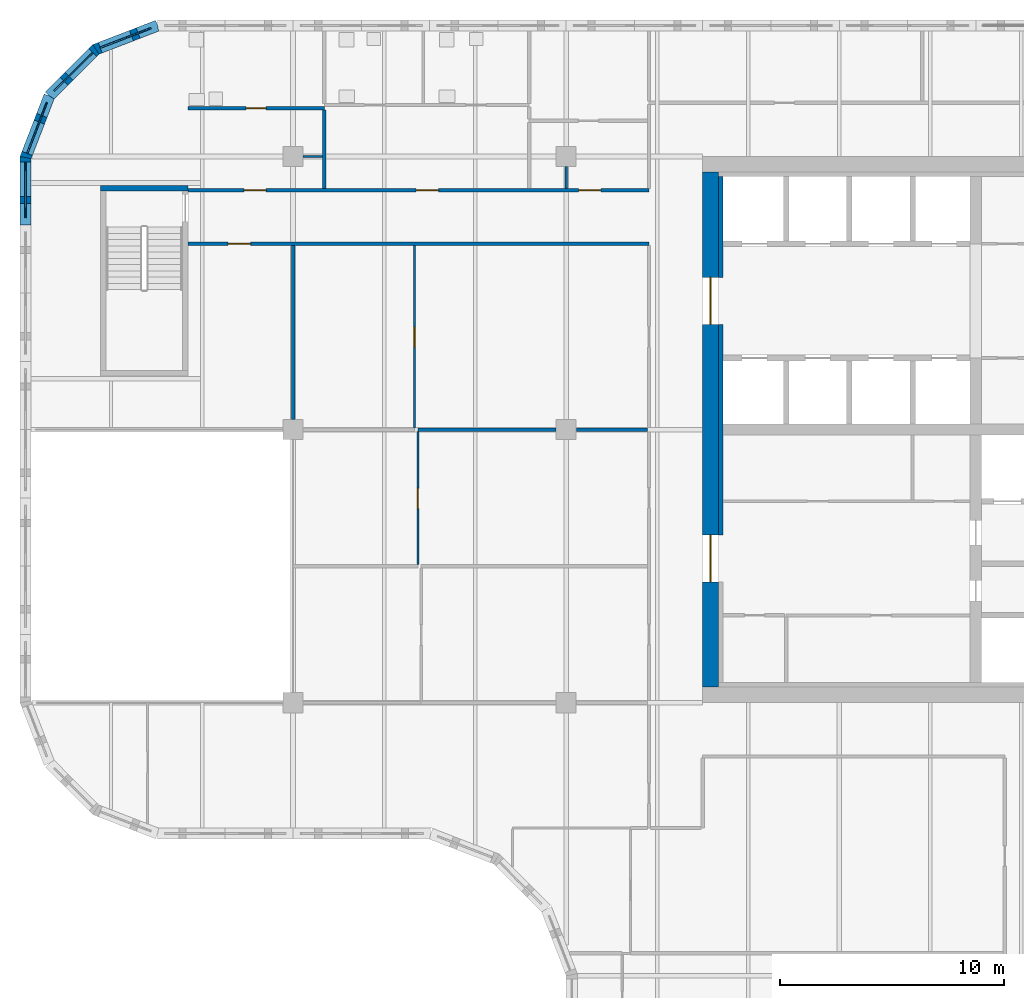
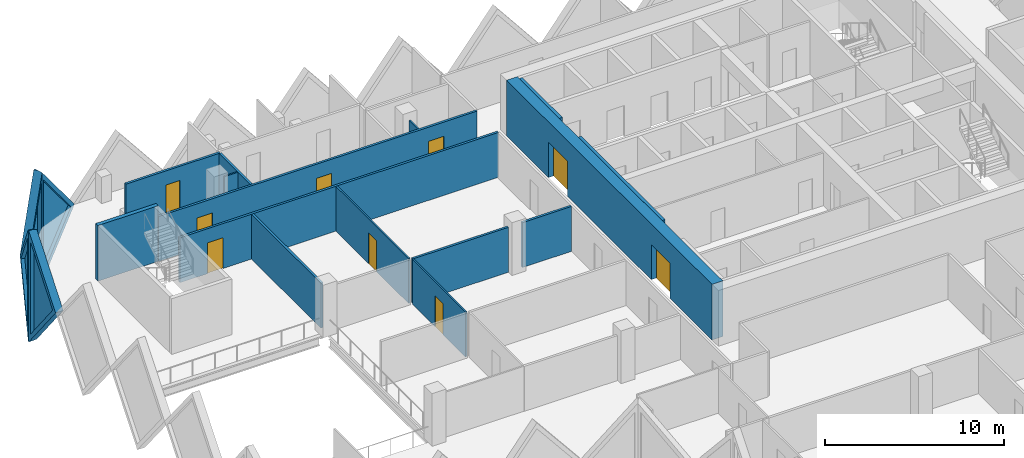
# One storey, part 7 of 13: 19 walls, 9 doors, 4 plates, 13 openings.
"""IFC4 building model written with IfcOpenShell, lengths in metres."""

from ifc_helpers import new_model, si_unit, direction, frame, frame_2d, origin, place, context, subcontext, project, spatial, polyline, rectangle, outline, extrude, faceted_brep, source, transform, mapped, material, layer, layer_set, type_object, element, fill, save


model = new_model("IFC4")

# Units and contexts
model_context = context("Model", 3, precision=1e-05, world=origin(), true_north=direction((0.0, 1.0)))
body_context = subcontext(model_context, "Body", "Model", "MODEL_VIEW")
ifc_project = project(units=[si_unit("LENGTHUNIT", "METRE"), si_unit("AREAUNIT", "SQUARE_METRE"), si_unit("VOLUMEUNIT", "CUBIC_METRE"), si_unit("PLANEANGLEUNIT", "RADIAN"), si_unit("MASSUNIT", "GRAM", prefix="KILO")], contexts=[model_context])

# Site, building, storey
site_placement = place(None, origin())
site = spatial("IfcSite", under=ifc_project, at=site_placement, CompositionType="ELEMENT")
building_placement = place(site_placement, origin())
building = spatial("IfcBuilding", under=site, at=building_placement, Name="Tessera Gate Towers", CompositionType="ELEMENT")
storey_placement = place(building_placement, frame((0.0, 0.0, 116.39990234375)))
storey = spatial("IfcBuildingStorey", under=building, at=storey_placement, Name="L28", CompositionType="ELEMENT", Elevation=116.39990234375)

# Wall
ifc_material_1 = material(Name="Concrete C40/50", Category="concrete")
ifc_layer_1 = layer(ifc_material_1, 0.25)
ifc_layer_set_1 = layer_set([ifc_layer_1], Name="CORE ENCLOSURE WALL 250")
wall_type_1 = type_object("IfcWallType", Name="CORE ENCLOSURE WALL 250", PredefinedType="SOLIDWALL", material=ifc_layer_set_1)
wall_1_placement = place(storey_placement, frame((3.60009765625, 47.375, 0.0), z_axis=(0.0, 0.0, 1.0), x_axis=(1.0, 0.0, 0.0)))
element("IfcWall", 1, at=wall_1_placement, inside=storey, type_object=wall_type_1, Name="L28 ST3 enclosure wall", PredefinedType="SOLIDWALL", context=body_context, shape_type="SweptSolid", body=[
    extrude(rectangle(XDim=3.89990234375, YDim=0.25, at=frame_2d((1.949951171875, 0.0))), origin(), (0.0, 0.0, 1.0), 3.800048828125),
])

# Wall, openings, doors
ifc_material_2 = material(Name="Concrete C60/75", Category="concrete")
ifc_layer_2 = layer(ifc_material_2, 0.699951171875)
ifc_layer_set_2 = layer_set([ifc_layer_2], Name="CORE SHEAR WALL 700 C60/75")
wall_type_2 = type_object("IfcWallType", Name="CORE SHEAR WALL 700 C60/75", PredefinedType="SHEAR", material=ifc_layer_set_2)
wall_2_placement = place(storey_placement, frame((30.85009765625, 25.10009765625, 0.0), z_axis=(0.0, 0.0, 1.0), x_axis=(0.0, 1.0, 0.0)))
wall_2 = element("IfcWall", 2, at=wall_2_placement, inside=storey, type_object=wall_type_2, Name="Core wall W L28", PredefinedType="SHEAR", context=body_context, shape_type="SweptSolid", body=[
    extrude(rectangle(XDim=23.0, YDim=0.699951171875, at=frame_2d((11.5, 0.0))), origin(), (0.0, 0.0, 1.0), 3.800048828125),
])
shared_shape_1 = source(origin(), body_context, "Body", "SweptSolid", [
    extrude(rectangle(XDim=2.10009765625, YDim=2.39990234375, at=frame_2d((1.050048828125, 1.199951171875))), frame((0.0, 0.35986328125, 0.0), z_axis=(0.0, -1.0, 0.0), x_axis=(1.0, 0.0, 0.0)), (0.0, 0.0, 1.0), 0.719970703125),
])
opening_1_placement = place(wall_2_placement, frame((4.699951171875, 0.0, 0.0)))
opening_1 = element("IfcOpeningElement", 3, at=opening_1_placement, cuts=wall_2, Name="Opening DD-T1-20-02", PredefinedType="OPENING", context=body_context, shape_type="MappedRepresentation", body=[
    mapped(shared_shape_1, transform((0.0, 0.0, 0.0), scale=1.0)),
])
opening_2_placement = place(wall_2_placement, frame((16.199951171875, 0.0, 0.0)))
opening_2 = element("IfcOpeningElement", 4, at=opening_2_placement, cuts=wall_2, Name="Opening DD-T1-20-03", PredefinedType="OPENING", context=body_context, shape_type="MappedRepresentation", body=[
    mapped(shared_shape_1, transform((0.0, 0.0, 0.0), scale=1.0)),
])
ifc_material_3 = material(Name="Hollow steel fire door", Category="steel")
door_type_1 = type_object("IfcDoorType", Name="CORE DOOR DD 2100x2400", OperationType="NOTDEFINED", PredefinedType="DOOR", material=ifc_material_3)
shared_shape_2 = source(origin(), body_context, "Body", "SweptSolid", [
    extrude(rectangle(XDim=2.10009765625, YDim=2.39990234375, at=frame_2d((1.050048828125, 1.199951171875))), frame((0.0, 0.02490234375, 0.0), z_axis=(0.0, -1.0, 0.0), x_axis=(1.0, 0.0, 0.0)), (0.0, 0.0, 1.0), 0.050048828125),
])
door_1_placement = place(opening_1_placement, origin())
door_1 = element("IfcDoor", 5, at=door_1_placement, inside=storey, type_object=door_type_1, Name="Core entrance door", OperationType="DOUBLE_DOOR_SINGLE_SWING", OverallHeight=2.39990234375, OverallWidth=2.10009765625, PredefinedType="DOOR", context=body_context, shape_type="MappedRepresentation", body=[
    mapped(shared_shape_2, transform((0.0, 0.0, 0.0), scale=1.0)),
])
fill(opening_1, door_1)
door_2_placement = place(opening_2_placement, origin())
door_2 = element("IfcDoor", 6, at=door_2_placement, inside=storey, type_object=door_type_1, Name="Core entrance door", OperationType="DOUBLE_DOOR_SINGLE_SWING", OverallHeight=2.39990234375, OverallWidth=2.10009765625, PredefinedType="DOOR", context=body_context, shape_type="MappedRepresentation", body=[
    mapped(shared_shape_2, transform((0.0, 0.0, 0.0), scale=1.0)),
])
fill(opening_2, door_2)

# Walls
ifc_material_4 = material(Name="Concrete C60/75", Category="concrete")
ifc_layer_3 = layer(ifc_material_4, 0.199951171875)
ifc_layer_set_3 = layer_set([ifc_layer_3], Name="CORE WALL THICKENING 200")
wall_type_3 = type_object("IfcWallType", Name="CORE WALL THICKENING 200", PredefinedType="SOLIDWALL", material=ifc_layer_set_3)
wall_3_placement = place(storey_placement, frame((31.300048828125, 31.89990234375, 0.0), z_axis=(0.0, 0.0, 1.0), x_axis=(0.0, 1.0, 0.0)))
element("IfcWall", 7, at=wall_3_placement, inside=storey, type_object=wall_type_3, Name="Core wall thickening W L28", PredefinedType="SOLIDWALL", context=body_context, shape_type="SweptSolid", body=[
    extrude(rectangle(XDim=9.400146484375, YDim=0.199951171875, at=frame_2d((4.7001953125, 0.0))), origin(), (0.0, 0.0, 1.0), 3.800048828125),
])
wall_4_placement = place(storey_placement, frame((31.300048828125, 43.39990234375, 0.0), z_axis=(0.0, 0.0, 1.0), x_axis=(0.0, 1.0, 0.0)))
element("IfcWall", 8, at=wall_4_placement, inside=storey, type_object=wall_type_3, Name="Core wall thickening W L28", PredefinedType="SOLIDWALL", context=body_context, shape_type="SweptSolid", body=[
    extrude(rectangle(XDim=4.5, YDim=0.199951171875, at=frame_2d((2.25, 0.0))), origin(), (0.0, 0.0, 1.0), 3.800048828125),
])

# Wall, opening, door
ifc_material_5 = material(Name="Gypsum board on steel studs, mineral wool", Category="steel")
ifc_layer_4 = layer(ifc_material_5, 0.14990234375)
ifc_layer_set_4 = layer_set([ifc_layer_4], Name="CORRIDOR WALL 150")
wall_type_4 = type_object("IfcWallType", Name="CORRIDOR WALL 150", PredefinedType="PARTITIONING", material=ifc_layer_set_4)
wall_5_placement = place(storey_placement, frame((28.10009765625, 44.89990234375, 0.0), z_axis=(0.0, 0.0, 1.0), x_axis=(-1.0, 0.0, 0.0)))
wall_5 = element("IfcWall", 9, at=wall_5_placement, inside=storey, type_object=wall_type_4, Name="T1-L28-PW-041", PredefinedType="PARTITIONING", context=body_context, shape_type="SweptSolid", body=[
    extrude(rectangle(XDim=20.60009765625, YDim=0.14990234375, at=frame_2d((10.300048828125, 0.0))), origin(), (0.0, 0.0, 1.0), 3.067138671875),
])
shared_shape_3 = source(origin(), body_context, "Body", "SweptSolid", [
    extrude(rectangle(XDim=1.0, YDim=2.10009765625, at=frame_2d((0.5, 1.050048828125))), frame((0.0, 0.0849609375, 0.0), z_axis=(0.0, -1.0, 0.0), x_axis=(1.0, 0.0, 0.0)), (0.0, 0.0, 1.0), 0.169921875),
])
opening_3_placement = place(wall_5_placement, frame((17.800048828125, 0.0, 0.0)))
opening_3 = element("IfcOpeningElement", 10, at=opening_3_placement, cuts=wall_5, Name="Opening D2100FD60-A10-01", PredefinedType="OPENING", context=body_context, shape_type="MappedRepresentation", body=[
    mapped(shared_shape_3, transform((0.0, 0.0, 0.0), scale=1.0)),
])
ifc_material_6 = material(Name="Timber door leaf in steel frame", Category="steel")
door_type_2 = type_object("IfcDoorType", Name="TENANCY ENTRANCE DOOR 1000 FD60", OperationType="NOTDEFINED", PredefinedType="DOOR", material=ifc_material_6)
shared_shape_4 = source(origin(), body_context, "Body", "SweptSolid", [
    extrude(rectangle(XDim=1.0, YDim=2.10009765625, at=frame_2d((0.5, 1.050048828125))), frame((0.0, 0.02490234375, 0.0), z_axis=(0.0, -1.0, 0.0), x_axis=(1.0, 0.0, 0.0)), (0.0, 0.0, 1.0), 0.050048828125),
])
door_3_placement = place(opening_3_placement, origin())
door_3 = element("IfcDoor", 11, at=door_3_placement, inside=storey, type_object=door_type_2, Name="T1-L28-PD-004", OperationType="SINGLE_SWING_RIGHT", OverallHeight=2.10009765625, OverallWidth=1.0, PredefinedType="DOOR", context=body_context, shape_type="MappedRepresentation", body=[
    mapped(shared_shape_4, transform((0.0, 0.0, 0.0), scale=1.0)),
])
fill(opening_3, door_3)

# Wall, openings, doors
wall_6_placement = place(storey_placement, frame((7.5, 47.300048828125, 0.0), z_axis=(0.0, 0.0, 1.0), x_axis=(1.0, 0.0, 0.0)))
wall_6 = element("IfcWall", 12, at=wall_6_placement, inside=storey, type_object=wall_type_4, Name="T1-L28-PW-042", PredefinedType="PARTITIONING", context=body_context, shape_type="SweptSolid", body=[
    extrude(rectangle(XDim=20.60009765625, YDim=0.14990234375, at=frame_2d((10.300048828125, 0.0))), origin(), (0.0, 0.0, 1.0), 3.067138671875),
])
opening_4_placement = place(wall_6_placement, frame((17.450927734375, 0.0, 0.0)))
opening_4 = element("IfcOpeningElement", 13, at=opening_4_placement, cuts=wall_6, Name="Opening D2100FD60-A10-02", PredefinedType="OPENING", context=body_context, shape_type="MappedRepresentation", body=[
    mapped(shared_shape_3, transform((0.0, 0.0, 0.0), scale=1.0)),
])
opening_5_placement = place(wall_6_placement, frame((2.5, 0.0, 0.0)))
opening_5 = element("IfcOpeningElement", 14, at=opening_5_placement, cuts=wall_6, Name="Opening D2100FD60-A10-03", PredefinedType="OPENING", context=body_context, shape_type="MappedRepresentation", body=[
    mapped(shared_shape_3, transform((0.0, 0.0, 0.0), scale=1.0)),
])
opening_6_placement = place(wall_6_placement, frame((10.199951171875, 0.0, 0.0)))
opening_6 = element("IfcOpeningElement", 15, at=opening_6_placement, cuts=wall_6, Name="Opening D2100FD60-A10-06", PredefinedType="OPENING", context=body_context, shape_type="MappedRepresentation", body=[
    mapped(shared_shape_3, transform((0.0, 0.0, 0.0), scale=1.0)),
])
door_4_placement = place(opening_4_placement, origin())
door_4 = element("IfcDoor", 16, at=door_4_placement, inside=storey, type_object=door_type_2, Name="T1-L28-PD-007", OperationType="SINGLE_SWING_LEFT", OverallHeight=2.10009765625, OverallWidth=1.0, PredefinedType="DOOR", context=body_context, shape_type="MappedRepresentation", body=[
    mapped(shared_shape_4, transform((0.0, 0.0, 0.0), scale=1.0)),
])
fill(opening_4, door_4)
door_5_placement = place(opening_5_placement, origin())
door_5 = element("IfcDoor", 17, at=door_5_placement, inside=storey, type_object=door_type_2, Name="T1-L28-PD-015", OperationType="SINGLE_SWING_LEFT", OverallHeight=2.10009765625, OverallWidth=1.0, PredefinedType="DOOR", context=body_context, shape_type="MappedRepresentation", body=[
    mapped(shared_shape_4, transform((0.0, 0.0, 0.0), scale=1.0)),
])
fill(opening_5, door_5)
door_6_placement = place(opening_6_placement, origin())
door_6 = element("IfcDoor", 18, at=door_6_placement, inside=storey, type_object=door_type_2, Name="T1-L28-PD-024", OperationType="SINGLE_SWING_LEFT", OverallHeight=2.10009765625, OverallWidth=1.0, PredefinedType="DOOR", context=body_context, shape_type="MappedRepresentation", body=[
    mapped(shared_shape_4, transform((0.0, 0.0, 0.0), scale=1.0)),
])
fill(opening_6, door_6)

# Wall, opening, door
ifc_material_7 = material(Name="Glass", Category="glass")
ifc_layer_5 = layer(ifc_material_7, 0.10009765625)
ifc_layer_set_5 = layer_set([ifc_layer_5], Name="GLAZED PARTITION 100")
wall_type_5 = type_object("IfcWallType", Name="GLAZED PARTITION 100", PredefinedType="PARTITIONING", material=ifc_layer_set_5)
wall_7_placement = place(storey_placement, frame((17.77490234375, 30.575927734375, 0.0), z_axis=(0.0, 0.0, 1.0), x_axis=(0.0, 1.0, 0.0)))
wall_7 = element("IfcWall", 19, at=wall_7_placement, inside=storey, type_object=wall_type_5, Name="T1-L28-PW-035", PredefinedType="PARTITIONING", context=body_context, shape_type="SweptSolid", body=[
    extrude(rectangle(XDim=5.947998046875, YDim=0.10009765625, at=frame_2d((2.97412109375, 0.0))), origin(), (0.0, 0.0, 1.0), 3.067138671875),
])
shared_shape_5 = source(origin(), body_context, "Body", "SweptSolid", [
    extrude(rectangle(XDim=0.89990234375, YDim=2.10009765625, at=frame_2d((0.449951171875, 1.050048828125))), frame((0.0, 0.06005859375, 0.0), z_axis=(0.0, -1.0, 0.0), x_axis=(1.0, 0.0, 0.0)), (0.0, 0.0, 1.0), 0.1201171875),
])
opening_7_placement = place(wall_7_placement, frame((2.5, 0.0, 0.0)))
opening_7 = element("IfcOpeningElement", 20, at=opening_7_placement, cuts=wall_7, Name="Opening D690-A10-05", PredefinedType="OPENING", context=body_context, shape_type="MappedRepresentation", body=[
    mapped(shared_shape_5, transform((0.0, 0.0, 0.0), scale=1.0)),
])
ifc_material_8 = material(Name="Glass in aluminium frame", Category="aluminium")
door_type_3 = type_object("IfcDoorType", Name="GLAZED DOOR 900 NOT RATED", OperationType="NOTDEFINED", PredefinedType="DOOR", material=ifc_material_8)
shared_shape_6 = source(origin(), body_context, "Body", "SweptSolid", [
    extrude(rectangle(XDim=0.89990234375, YDim=2.10009765625, at=frame_2d((0.449951171875, 1.050048828125))), frame((0.0, 0.02490234375, 0.0), z_axis=(0.0, -1.0, 0.0), x_axis=(1.0, 0.0, 0.0)), (0.0, 0.0, 1.0), 0.050048828125),
])
door_7_placement = place(opening_7_placement, origin())
door_7 = element("IfcDoor", 21, at=door_7_placement, inside=storey, type_object=door_type_3, Name="T1-L28-PD-012", OperationType="SINGLE_SWING_LEFT", OverallHeight=2.10009765625, OverallWidth=0.89990234375, PredefinedType="DOOR", context=body_context, shape_type="MappedRepresentation", body=[
    mapped(shared_shape_6, transform((0.0, 0.0, 0.0), scale=1.0)),
])
fill(opening_7, door_7)

wall_8_placement = place(storey_placement, frame((17.625, 36.676025390625, 0.0), z_axis=(0.0, 0.0, 1.0), x_axis=(0.0, 1.0, 0.0)))
wall_8 = element("IfcWall", 22, at=wall_8_placement, inside=storey, type_object=wall_type_5, Name="T1-L28-PW-039", PredefinedType="PARTITIONING", context=body_context, shape_type="SweptSolid", body=[
    extrude(rectangle(XDim=8.14794921875, YDim=0.10009765625, at=frame_2d((4.073974609375, 0.0))), origin(), (0.0, 0.0, 1.0), 3.067138671875),
])
opening_8_placement = place(wall_8_placement, frame((3.60009765625, 0.0, 0.0)))
opening_8 = element("IfcOpeningElement", 23, at=opening_8_placement, cuts=wall_8, Name="Opening D690-A10-06", PredefinedType="OPENING", context=body_context, shape_type="MappedRepresentation", body=[
    mapped(shared_shape_5, transform((0.0, 0.0, 0.0), scale=1.0)),
])
door_8_placement = place(opening_8_placement, origin())
door_8 = element("IfcDoor", 24, at=door_8_placement, inside=storey, type_object=door_type_3, Name="T1-L28-PD-019", OperationType="SINGLE_SWING_LEFT", OverallHeight=2.10009765625, OverallWidth=0.89990234375, PredefinedType="DOOR", context=body_context, shape_type="MappedRepresentation", body=[
    mapped(shared_shape_6, transform((0.0, 0.0, 0.0), scale=1.0)),
])
fill(opening_8, door_8)

# Walls
ifc_material_9 = material(Name="Gypsum board on steel studs", Category="steel")
ifc_layer_6 = layer(ifc_material_9, 0.10009765625)
ifc_layer_set_6 = layer_set([ifc_layer_6], Name="PARTITION 100")
wall_type_6 = type_object("IfcWallType", Name="PARTITION 100", PredefinedType="PARTITIONING", material=ifc_layer_set_6)
wall_9_placement = place(storey_placement, frame((24.39990234375, 48.35009765625, 0.0), z_axis=(0.0, 0.0, 1.0), x_axis=(0.0, -1.0, 0.0)))
element("IfcWall", 25, at=wall_9_placement, inside=storey, type_object=wall_type_6, Name="T1-L28-PW-046", PredefinedType="PARTITIONING", context=body_context, shape_type="SweptSolid", body=[
    extrude(rectangle(XDim=0.97509765625, YDim=0.10009765625, at=frame_2d((0.487548828125, 0.0))), origin(), (0.0, 0.0, 1.0), 3.067138671875),
])
wall_10_placement = place(storey_placement, frame((12.64990234375, 48.800048828125, 0.0), z_axis=(0.0, 0.0, 1.0), x_axis=(1.0, 0.0, 0.0)))
element("IfcWall", 26, at=wall_10_placement, inside=storey, type_object=wall_type_6, Name="T1-L28-PW-047", PredefinedType="PARTITIONING", context=body_context, shape_type="SweptSolid", body=[
    extrude(rectangle(XDim=0.875, YDim=0.10009765625, at=frame_2d((0.4375, 0.0))), origin(), (0.0, 0.0, 1.0), 3.067138671875),
])
ifc_material_10 = material(Name="Gypsum board on steel studs, mineral wool", Category="steel")
ifc_layer_7 = layer(ifc_material_10, 0.14990234375)
ifc_layer_set_7 = layer_set([ifc_layer_7], Name="TENANCY WALL 150")
wall_type_7 = type_object("IfcWallType", Name="TENANCY WALL 150", PredefinedType="PARTITIONING", material=ifc_layer_set_7)
wall_11_placement = place(storey_placement, frame((17.77490234375, 36.60009765625, 0.0), z_axis=(0.0, 0.0, 1.0), x_axis=(1.0, 0.0, 0.0)))
element("IfcWall", 27, at=wall_11_placement, inside=storey, type_object=wall_type_7, Name="T1-L28-PW-037", PredefinedType="PARTITIONING", context=body_context, shape_type="SweptSolid", body=[
    extrude(rectangle(XDim=6.174072265625, YDim=0.14990234375, at=frame_2d((3.0869140625, 0.0))), origin(), (0.0, 0.0, 1.0), 3.067138671875),
])
wall_12_placement = place(storey_placement, frame((24.85107421875, 36.60009765625, 0.0), z_axis=(0.0, 0.0, 1.0), x_axis=(1.0, 0.0, 0.0)))
element("IfcWall", 28, at=wall_12_placement, inside=storey, type_object=wall_type_7, Name="T1-L28-PW-038", PredefinedType="PARTITIONING", context=body_context, shape_type="SweptSolid", body=[
    extrude(rectangle(XDim=3.1728515625, YDim=0.14990234375, at=frame_2d((1.58642578125, 0.0))), origin(), (0.0, 0.0, 1.0), 3.067138671875),
])
wall_13_placement = place(storey_placement, frame((12.199951171875, 37.051025390625, 0.0), z_axis=(0.0, 0.0, 1.0), x_axis=(0.0, 1.0, 0.0)))
element("IfcWall", 29, at=wall_13_placement, inside=storey, type_object=wall_type_7, Name="T1-L28-PW-040", PredefinedType="PARTITIONING", context=body_context, shape_type="SweptSolid", body=[
    extrude(rectangle(XDim=7.77294921875, YDim=0.14990234375, at=frame_2d((3.886474609375, 0.0))), origin(), (0.0, 0.0, 1.0), 3.067138671875),
])
wall_14_placement = place(storey_placement, frame((13.60009765625, 47.3759765625, 0.0), z_axis=(0.0, 0.0, 1.0), x_axis=(0.0, 1.0, 0.0)))
element("IfcWall", 30, at=wall_14_placement, inside=storey, type_object=wall_type_7, Name="T1-L28-PW-043", PredefinedType="PARTITIONING", context=body_context, shape_type="SweptSolid", body=[
    extrude(rectangle(XDim=3.498046875, YDim=0.14990234375, at=frame_2d((1.7490234375, 0.0))), origin(), (0.0, 0.0, 1.0), 3.067138671875),
])

# Wall, opening, door
wall_15_placement = place(storey_placement, frame((7.5, 50.949951171875, 0.0), z_axis=(0.0, 0.0, 1.0), x_axis=(1.0, 0.0, 0.0)))
wall_15 = element("IfcWall", 31, at=wall_15_placement, inside=storey, type_object=wall_type_7, Name="T1-L28-PW-050", PredefinedType="PARTITIONING", context=body_context, shape_type="SweptSolid", body=[
    extrude(rectangle(XDim=6.10009765625, YDim=0.14990234375, at=frame_2d((3.050048828125, 0.0))), origin(), (0.0, 0.0, 1.0), 3.067138671875),
])
shared_shape_7 = source(origin(), body_context, "Body", "SweptSolid", [
    extrude(rectangle(XDim=0.89990234375, YDim=2.10009765625, at=frame_2d((0.449951171875, 1.050048828125))), frame((0.0, 0.0849609375, 0.0), z_axis=(0.0, -1.0, 0.0), x_axis=(1.0, 0.0, 0.0)), (0.0, 0.0, 1.0), 0.169921875),
])
opening_9_placement = place(wall_15_placement, frame((2.60009765625, 0.0, 0.0)))
opening_9 = element("IfcOpeningElement", 32, at=opening_9_placement, cuts=wall_15, Name="Opening D190-A10-06", PredefinedType="OPENING", context=body_context, shape_type="MappedRepresentation", body=[
    mapped(shared_shape_7, transform((0.0, 0.0, 0.0), scale=1.0)),
])
ifc_material_11 = material(Name="Timber door leaf in steel frame", Category="steel")
door_type_4 = type_object("IfcDoorType", Name="INTERNAL DOOR 900 NOT RATED", OperationType="NOTDEFINED", PredefinedType="DOOR", material=ifc_material_11)
door_9_placement = place(opening_9_placement, origin())
door_9 = element("IfcDoor", 33, at=door_9_placement, inside=storey, type_object=door_type_4, Name="T1-L28-PD-016", OperationType="SINGLE_SWING_LEFT", OverallHeight=2.10009765625, OverallWidth=0.89990234375, PredefinedType="DOOR", context=body_context, shape_type="MappedRepresentation", body=[
    mapped(shared_shape_6, transform((0.0, 0.0, 0.0), scale=1.0)),
])
fill(opening_9, door_9)

# Wall, opening, plate
ifc_material_12 = material(Name="Precast concrete C60/75 white", Category="concrete")
ifc_layer_8 = layer(ifc_material_12, 0.5)
ifc_layer_set_8 = layer_set([ifc_layer_8], Name="TS3 corner tessera")
wall_type_8 = type_object("IfcWallType", Name="TS3 corner tessera", PredefinedType="SOLIDWALL", material=ifc_layer_set_8)
shared_shape_8 = source(origin(), body_context, "Body", "Brep", [
    faceted_brep([(0.046630859375, -0.25, 0.0), (3.050048828125, -0.25, 3.7998046875), (0.046630859375, -0.25, 7.599853515625), (0.0, -0.25, 7.539794921875), (0.0, -0.25, 0.06005859375), (0.09326171875, 0.25, 7.541015625), (3.050048828125, 0.25, 3.7998046875), (0.09326171875, 0.25, 0.058837890625), (0.046630859375, 0.0, 0.0), (0.046630859375, 0.0, 7.599853515625)], [[[0, 1, 2, 3, 4]], [[5, 6, 7]], [[7, 6, 1, 0, 8]], [[6, 5, 9, 2, 1]], [[3, 2, 9]], [[8, 0, 4]], [[7, 8, 4, 3, 9, 5]]]),
])
wall_16_placement = place(storey_placement, frame((0.25, 48.800048828125, -3.7998046875), z_axis=(0.0, 0.0, 1.0), x_axis=(0.0, -1.0, 0.0)))
wall_16 = element("IfcWall", 34, at=wall_16_placement, inside=storey, type_object=wall_type_8, Name="Precast corner tessera T1 TS3-0636", PredefinedType="SOLIDWALL", context=body_context, shape_type="MappedRepresentation", body=[
    mapped(shared_shape_8, transform((0.0, 0.0, 0.0), scale=1.0)),
])
shared_shape_9 = source(origin(), body_context, "Body", "SweptSolid", [
    extrude(outline(polyline([(0.24658203125, 0.656005859375), (2.7314453125, 3.7998046875), (0.24658203125, 6.943603515625), (0.24658203125, 0.656005859375)])), frame((0.0, 0.260009765625, 0.0), z_axis=(0.0, -1.0, 0.0), x_axis=(1.0, 0.0, 0.0)), (0.0, 0.0, 1.0), 0.52001953125),
])
opening_10_placement = place(wall_16_placement, origin())
opening_10 = element("IfcOpeningElement", 35, at=opening_10_placement, cuts=wall_16, Name="Opening T1-PL2-0922", PredefinedType="OPENING", context=body_context, shape_type="MappedRepresentation", body=[
    mapped(shared_shape_9, transform((0.0, 0.0, 0.0), scale=1.0)),
])
ifc_material_13 = material(Name="Low-e laminated glass", Category="glass")
ifc_layer_9 = layer(ifc_material_13, 0.06005859375)
ifc_layer_set_9 = layer_set([ifc_layer_9], Name="PL2 rhombic pane")
plate_type = type_object("IfcPlateType", Name="PL2 rhombic pane", PredefinedType="SHEET", material=ifc_layer_set_9)
shared_shape_10 = source(origin(), body_context, "Body", "SweptSolid", [
    extrude(outline(polyline([(0.24658203125, 0.656005859375), (2.7314453125, 3.7998046875), (0.24658203125, 6.943603515625), (0.24658203125, 0.656005859375)])), frame((0.0, 0.030029296875, 0.0), z_axis=(0.0, -1.0, 0.0), x_axis=(1.0, 0.0, 0.0)), (0.0, 0.0, 1.0), 0.06005859375),
])
plate_1_placement = place(opening_10_placement, origin())
plate_1 = element("IfcPlate", 36, at=plate_1_placement, inside=storey, type_object=plate_type, Name="Glass pane T1 PL2-0922", PredefinedType="SHEET", context=body_context, shape_type="MappedRepresentation", body=[
    mapped(shared_shape_10, transform((0.0, 0.0, 0.0), scale=1.0)),
])
fill(opening_10, plate_1)

shared_shape_11 = source(origin(), body_context, "Body", "Brep", [
    faceted_brep([(2.950439453125, -0.25, 0.0), (2.9970703125, -0.25, 0.05908203125), (2.9970703125, -0.25, 7.540771484375), (2.950439453125, -0.25, 7.599853515625), (0.0, -0.25, 3.7998046875), (0.052978515625, 0.25, 3.867919921875), (2.904052734375, 0.25, 7.5400390625), (2.904052734375, 0.25, 0.059814453125), (0.052978515625, 0.25, 3.731689453125), (2.950439453125, 0.00048828125, 0.0), (2.950439453125, 0.00048828125, 7.599853515625), (0.0, 0.0, 3.7998046875)], [[[0, 1, 2, 3, 4]], [[5, 6, 7, 8]], [[1, 0, 9]], [[10, 3, 2]], [[6, 5, 11, 4, 3, 10]], [[8, 7, 9, 0, 4, 11]], [[8, 11, 5]], [[1, 9, 7, 6, 10, 2]]]),
])
wall_17_placement = place(storey_placement, frame((1.31201171875, 51.50634765625, -3.7998046875), z_axis=(0.0, 0.0, 1.0), x_axis=(-0.359944998003, -0.932973525033, 0.0)))
wall_17 = element("IfcWall", 37, at=wall_17_placement, inside=storey, type_object=wall_type_8, Name="Precast corner tessera T1 TS3-0635", PredefinedType="SOLIDWALL", context=body_context, shape_type="MappedRepresentation", body=[
    mapped(shared_shape_11, transform((0.0, 0.0, 0.0), scale=1.0)),
])
shared_shape_12 = source(origin(), body_context, "Body", "SweptSolid", [
    extrude(outline(polyline([(2.75048828125, 6.9345703125), (0.31640625, 3.7998046875), (2.75048828125, 0.6650390625), (2.75048828125, 6.9345703125)])), frame((0.0, 0.260009765625, 0.0), z_axis=(0.0, -1.0, 0.0), x_axis=(1.0, 0.0, 0.0)), (0.0, 0.0, 1.0), 0.52001953125),
])
opening_11_placement = place(wall_17_placement, origin())
opening_11 = element("IfcOpeningElement", 38, at=opening_11_placement, cuts=wall_17, Name="Opening T1-PL2-0921", PredefinedType="OPENING", context=body_context, shape_type="MappedRepresentation", body=[
    mapped(shared_shape_12, transform((0.0, 0.0, 0.0), scale=1.0)),
])
shared_shape_13 = source(origin(), body_context, "Body", "SweptSolid", [
    extrude(outline(polyline([(2.75048828125, 6.9345703125), (0.31640625, 3.7998046875), (2.75048828125, 0.6650390625), (2.75048828125, 6.9345703125)])), frame((0.0, 0.030029296875, 0.0), z_axis=(0.0, -1.0, 0.0), x_axis=(1.0, 0.0, 0.0)), (0.0, 0.0, 1.0), 0.06005859375),
])
plate_2_placement = place(opening_11_placement, origin())
plate_2 = element("IfcPlate", 39, at=plate_2_placement, inside=storey, type_object=plate_type, Name="Glass pane T1 PL2-0921", PredefinedType="SHEET", context=body_context, shape_type="MappedRepresentation", body=[
    mapped(shared_shape_13, transform((0.0, 0.0, 0.0), scale=1.0)),
])
fill(opening_11, plate_2)

shared_shape_14 = source(origin(), body_context, "Body", "Brep", [
    faceted_brep([(0.052978515625, -0.25, 0.0), (2.9970703125, -0.25, 3.7998046875), (0.052978515625, -0.25, 7.599853515625), (0.0, -0.25, 7.53173828125), (0.0, -0.25, 0.068115234375), (0.10595703125, 0.25, 7.531494140625), (2.944091796875, 0.25, 3.867919921875), (2.944091796875, 0.25, 3.731689453125), (0.10595703125, 0.25, 0.068359375), (2.9970703125, 0.000244140625, 3.7998046875), (0.052978515625, 0.0, 0.0), (0.052978515625, 0.0, 7.599853515625)], [[[0, 1, 2, 3, 4]], [[5, 6, 7, 8]], [[8, 7, 9, 1, 0, 10]], [[6, 5, 11, 2, 1, 9]], [[3, 2, 11]], [[10, 0, 4]], [[8, 10, 4, 3, 11, 5]], [[9, 7, 6]]]),
])
wall_18_placement = place(storey_placement, frame((3.43115234375, 53.62548828125, -3.7998046875), z_axis=(0.0, 0.0, 1.0), x_axis=(-0.707106781187, -0.707106781187, 0.0)))
wall_18 = element("IfcWall", 40, at=wall_18_placement, inside=storey, type_object=wall_type_8, Name="Precast corner tessera T1 TS3-0634", PredefinedType="SOLIDWALL", context=body_context, shape_type="MappedRepresentation", body=[
    mapped(shared_shape_14, transform((0.0, 0.0, 0.0), scale=1.0)),
])
shared_shape_15 = source(origin(), body_context, "Body", "SweptSolid", [
    extrude(outline(polyline([(0.2529296875, 0.666259765625), (2.680908203125, 3.7998046875), (0.2529296875, 6.93359375), (0.2529296875, 0.666259765625)])), frame((0.0, 0.260009765625, 0.0), z_axis=(0.0, -1.0, 0.0), x_axis=(1.0, 0.0, 0.0)), (0.0, 0.0, 1.0), 0.52001953125),
])
opening_12_placement = place(wall_18_placement, origin())
opening_12 = element("IfcOpeningElement", 41, at=opening_12_placement, cuts=wall_18, Name="Opening T1-PL2-0920", PredefinedType="OPENING", context=body_context, shape_type="MappedRepresentation", body=[
    mapped(shared_shape_15, transform((0.0, 0.0, 0.0), scale=1.0)),
])
shared_shape_16 = source(origin(), body_context, "Body", "SweptSolid", [
    extrude(outline(polyline([(0.2529296875, 0.666259765625), (2.680908203125, 3.7998046875), (0.2529296875, 6.93359375), (0.2529296875, 0.666259765625)])), frame((0.0, 0.030029296875, 0.0), z_axis=(0.0, -1.0, 0.0), x_axis=(1.0, 0.0, 0.0)), (0.0, 0.0, 1.0), 0.06005859375),
])
plate_3_placement = place(opening_12_placement, origin())
plate_3 = element("IfcPlate", 42, at=plate_3_placement, inside=storey, type_object=plate_type, Name="Glass pane T1 PL2-0920", PredefinedType="SHEET", context=body_context, shape_type="MappedRepresentation", body=[
    mapped(shared_shape_16, transform((0.0, 0.0, 0.0), scale=1.0)),
])
fill(opening_12, plate_3)

shared_shape_17 = source(origin(), body_context, "Body", "Brep", [
    faceted_brep([(2.950439453125, -0.25, 0.0), (3.00341796875, -0.25, 0.068359375), (3.00341796875, -0.25, 7.531494140625), (2.950439453125, -0.25, 7.599853515625), (0.0, -0.25, 3.7998046875), (0.046630859375, 0.25, 3.85986328125), (2.897705078125, 0.25, 7.53173828125), (2.897705078125, 0.25, 0.068115234375), (0.046630859375, 0.25, 3.73974609375), (2.950439453125, 0.00048828125, 0.0), (2.950439453125, 0.00048828125, 7.599853515625), (0.0, 0.0, 3.7998046875)], [[[0, 1, 2, 3, 4]], [[5, 6, 7, 8]], [[1, 0, 9]], [[10, 3, 2]], [[6, 5, 11, 4, 3, 10]], [[8, 7, 9, 0, 4, 11]], [[8, 11, 5]], [[1, 9, 7, 6, 10, 2]]]),
])
wall_19_placement = place(storey_placement, frame((6.146484375, 54.64990234375, -3.7998046875), z_axis=(0.0, 0.0, 1.0), x_axis=(-0.932997369089, -0.359883188373, 0.0)))
wall_19 = element("IfcWall", 43, at=wall_19_placement, inside=storey, type_object=wall_type_8, Name="Precast corner tessera T1 TS3-0633", PredefinedType="SOLIDWALL", context=body_context, shape_type="MappedRepresentation", body=[
    mapped(shared_shape_17, transform((0.0, 0.0, 0.0), scale=1.0)),
])
opening_13_placement = place(wall_19_placement, origin())
opening_13 = element("IfcOpeningElement", 44, at=opening_13_placement, cuts=wall_19, Name="Opening T1-PL2-0919", PredefinedType="OPENING", context=body_context, shape_type="MappedRepresentation", body=[
    mapped(shared_shape_12, transform((0.0, 0.0, 0.0), scale=1.0)),
])
plate_4_placement = place(opening_13_placement, origin())
plate_4 = element("IfcPlate", 45, at=plate_4_placement, inside=storey, type_object=plate_type, Name="Glass pane T1 PL2-0919", PredefinedType="SHEET", context=body_context, shape_type="MappedRepresentation", body=[
    mapped(shared_shape_13, transform((0.0, 0.0, 0.0), scale=1.0)),
])
fill(opening_13, plate_4)

save(model, "model.ifc")
